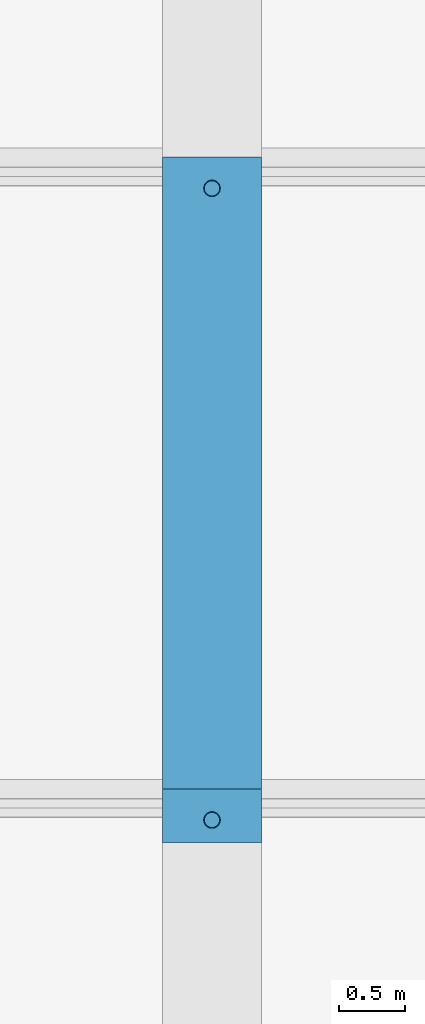
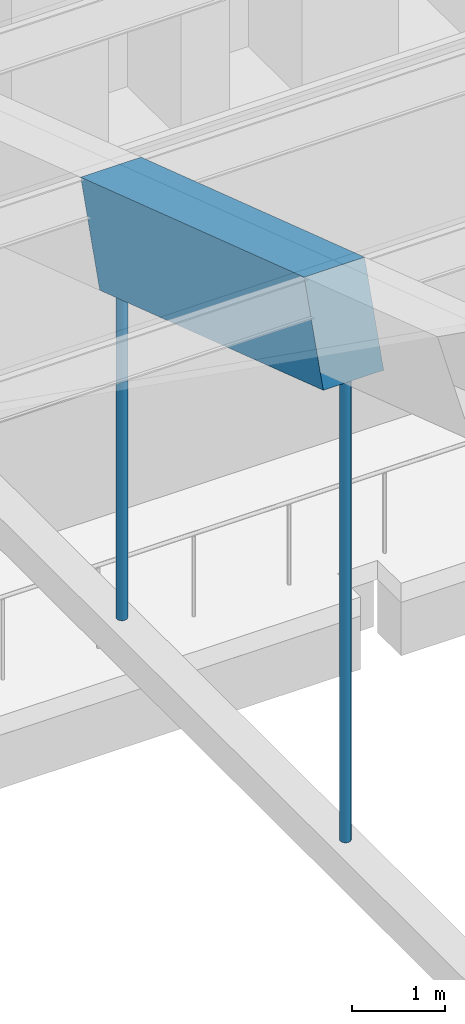
# One storey, part 41 of 149: 2 members, 1 beam.
"""IFC4 building model written with IfcOpenShell, lengths in metres."""

from ifc_helpers import new_model, si_unit, direction, frame, origin, origin_2d, place, context, subcontext, project, spatial, rectangle, hollow_circle, extrude, material, material_profile, profile_set, type_object, element, save


model = new_model("IFC4")

# Units and contexts
model_context = context("Model", 3, precision=1e-05, world=origin(), true_north=direction((0.0, 1.0)))
body_context = subcontext(model_context, "Body", "Model", "MODEL_VIEW")
ifc_project = project(units=[si_unit("LENGTHUNIT", "METRE"), si_unit("AREAUNIT", "SQUARE_METRE"), si_unit("VOLUMEUNIT", "CUBIC_METRE"), si_unit("PLANEANGLEUNIT", "RADIAN"), si_unit("MASSUNIT", "GRAM", prefix="KILO")], contexts=[model_context])

# Site, building, storey
site_placement = place(None, origin())
site = spatial("IfcSite", under=ifc_project, at=site_placement, CompositionType="ELEMENT")
building_placement = place(site_placement, origin())
building = spatial("IfcBuilding", under=site, at=building_placement, Name="Alderwick Market Hall", CompositionType="ELEMENT")
storey_placement = place(building_placement, frame((0.0, 0.0, 9.60009765625)))
storey = spatial("IfcBuildingStorey", under=building, at=storey_placement, Name="L01", CompositionType="ELEMENT", Elevation=9.60009765625)

# Beam
ifc_material_1 = material(Name="Concrete 5000 psi (f'c 35 MPa)", Category="concrete")
ifc_material_profile_1 = material_profile(ifc_material_1, rectangle(XDim=0.75, YDim=1.300048828125, at=origin_2d()), Name="RC 750x1300")
ifc_profile_set_1 = profile_set([ifc_material_profile_1], Name="Concrete 5000 psi (f'c 35 MPa)")
beam_type = type_object("IfcBeamType", Name="R Arch Rib Haunch 750x1300", PredefinedType="BEAM", material=ifc_profile_set_1)
beam_placement = place(storey_placement, frame((64.800048828125, 88.83154296875, 13.0947265625), z_axis=(0.0, 0.948692948114, -0.316198814353), x_axis=(-1.0, 0.0, 0.0)))
element("IfcBeam", 1, at=beam_placement, inside=storey, type_object=beam_type, Name="Arch rib 2 chord 9", PredefinedType="BEAM", context=body_context, shape_type="SweptSolid", body=[
    extrude(rectangle(XDim=0.75, YDim=1.300048828125, at=origin_2d()), origin(), (0.0, 0.0, 1.0), 5.0595703125),
])

# Members
ifc_material_2 = material(Name="Steel ASTM A500 Grade C", Category="steel")
ifc_material_profile_2 = material_profile(ifc_material_2, hollow_circle(Radius=0.0634765625, WallThickness=0.005859375, at=origin_2d()), Name="HSS5.000x0.250")
ifc_profile_set_2 = profile_set([ifc_material_profile_2], Name="Steel ASTM A500 Grade C")
member_type = type_object("IfcMemberType", Name="R Hanger HSS5.000x0.250", PredefinedType="POST", material=ifc_profile_set_2)
member_1_placement = place(storey_placement, frame((64.800048828125, 88.800048828125, 6.35302734375), z_axis=(0.0, 0.0, 1.0), x_axis=(1.0, 0.0, 0.0)))
element("IfcMember", 2, at=member_1_placement, inside=storey, type_object=member_type, Name="Arch hanger 2.8", PredefinedType="POST", context=body_context, shape_type="SweptSolid", body=[
    extrude(hollow_circle(Radius=0.0634765625, WallThickness=0.005859375, at=origin_2d()), origin(), (0.0, 0.0, 1.0), 6.0458984375),
])
member_2_placement = place(storey_placement, frame((64.800048828125, 93.60009765625, 6.35302734375), z_axis=(0.0, 0.0, 1.0), x_axis=(1.0, 0.0, 0.0)))
element("IfcMember", 3, at=member_2_placement, inside=storey, type_object=member_type, Name="Arch hanger 2.9", PredefinedType="POST", context=body_context, shape_type="SweptSolid", body=[
    extrude(hollow_circle(Radius=0.0634765625, WallThickness=0.005859375, at=origin_2d()), origin(), (0.0, 0.0, 1.0), 4.446044921875),
])

save(model, "model.ifc")
